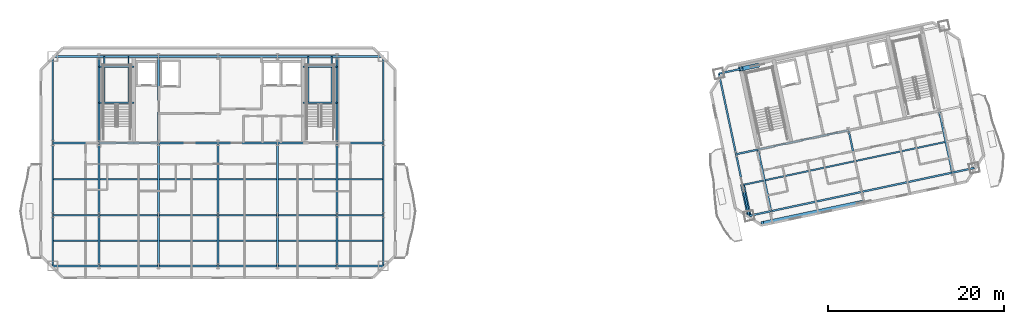
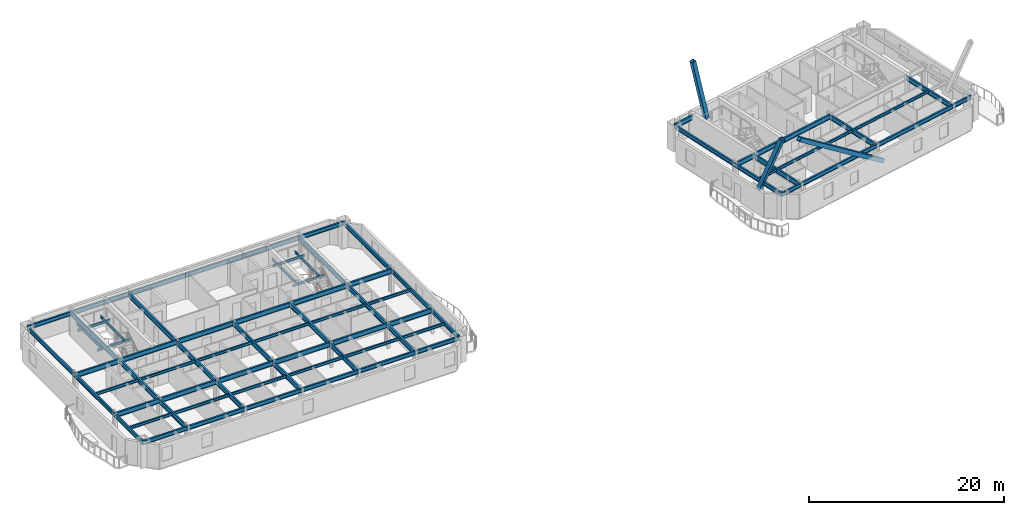
# One storey, part 3 of 13: 78 beams, 3 members.
"""IFC4 building model written with IfcOpenShell, lengths in metres."""

from ifc_helpers import new_model, si_unit, direction, frame, origin, origin_2d, place, context, subcontext, project, spatial, hollow_rectangle, i_section, extrude, material, material_profile, profile_set, type_object, element, save


model = new_model("IFC4")

# Units and contexts
model_context = context("Model", 3, precision=1e-05, world=origin(), true_north=direction((0.0, 1.0)))
body_context = subcontext(model_context, "Body", "Model", "MODEL_VIEW")
ifc_project = project(units=[si_unit("LENGTHUNIT", "METRE"), si_unit("AREAUNIT", "SQUARE_METRE"), si_unit("VOLUMEUNIT", "CUBIC_METRE"), si_unit("PLANEANGLEUNIT", "RADIAN"), si_unit("MASSUNIT", "GRAM", prefix="KILO")], contexts=[model_context])

# Site, building, storey
site_placement = place(None, origin())
site = spatial("IfcSite", under=ifc_project, at=site_placement, CompositionType="ELEMENT")
building_placement = place(site_placement, origin())
building = spatial("IfcBuilding", under=site, at=building_placement, Name="Haevon Station Towers", CompositionType="ELEMENT")
storey_placement = place(building_placement, frame((0.0, 0.0, 225.300048828125)))
storey = spatial("IfcBuildingStorey", under=building, at=storey_placement, Name="L62", CompositionType="ELEMENT", Elevation=225.300048828125)

# Beams
ifc_material_1 = material(Name="Steel S355", Category="steel")
ifc_material_profile_1 = material_profile(ifc_material_1, i_section(OverallWidth=0.199951171875, OverallDepth=0.60009765625, WebThickness=0.010986328125, FlangeThickness=0.01708984375, at=origin_2d()), Name="H-600x200x11x17")
ifc_profile_set_1 = profile_set([ifc_material_profile_1], Name="Steel S355")
beam_type_1 = type_object("IfcBeamType", Name="BM-G600", PredefinedType="BEAM", material=ifc_profile_set_1)
beam_1_placement = place(storey_placement, frame((18.75, 30.0, 2.75), z_axis=(1.0, 0.0, 0.0), x_axis=(0.0, 1.0, 0.0)))
element("IfcBeam", 1, at=beam_1_placement, inside=storey, type_object=beam_type_1, Name="BM-T1U-L62-02-01", PredefinedType="BEAM", context=body_context, shape_type="SweptSolid", body=[
    extrude(i_section(OverallWidth=0.199951171875, OverallDepth=0.60009765625, WebThickness=0.010986328125, FlangeThickness=0.01708984375, at=origin_2d()), origin(), (0.0, 0.0, 1.0), 5.25),
])
for number, where, z_axis, x_axis, name in (
    (2, (24.0, 30.0, 2.75), (1.0, 0.0, 0.0), (0.0, 1.0, 0.0), "BM-T1U-L62-02-02"),
    (3, (30.75, 30.0, 2.75), (1.0, 0.0, 0.0), (0.0, 1.0, 0.0), "BM-T1U-L62-02-03"),
    (4, (37.5, 30.0, 2.75), (1.0, 0.0, 0.0), (0.0, 1.0, 0.0), "BM-T1U-L62-02-04"),
    (5, (44.25, 30.0, 2.75), (1.0, 0.0, 0.0), (0.0, 1.0, 0.0), "BM-T1U-L62-02-05"),
):
    element("IfcBeam", number, at=place(storey_placement, frame(where, z_axis=z_axis, x_axis=x_axis)), inside=storey, type_object=beam_type_1, Name=name, PredefinedType="BEAM", context=body_context, shape_type="SweptSolid", body=[
        extrude(i_section(OverallWidth=0.199951171875, OverallDepth=0.60009765625, WebThickness=0.010986328125, FlangeThickness=0.01708984375, at=origin_2d()), origin(), (0.0, 0.0, 1.0), 6.75),
    ])
for number, where, z_axis, x_axis, name in (
    (6, (51.0, 30.0, 2.75), (1.0, 0.0, 0.0), (0.0, 1.0, 0.0), "BM-T1U-L62-02-06"),
    (7, (18.75, 38.199951171875, 2.75), (1.0, 0.0, 0.0), (0.0, 1.0, 0.0), "BM-T1U-L62-03-01"),
):
    element("IfcBeam", number, at=place(storey_placement, frame(where, z_axis=z_axis, x_axis=x_axis)), inside=storey, type_object=beam_type_1, Name=name, PredefinedType="BEAM", context=body_context, shape_type="SweptSolid", body=[
        extrude(i_section(OverallWidth=0.199951171875, OverallDepth=0.60009765625, WebThickness=0.010986328125, FlangeThickness=0.01708984375, at=origin_2d()), origin(), (0.0, 0.0, 1.0), 5.25),
    ])
for number, where, z_axis, x_axis, name in (
    (8, (24.0, 38.199951171875, 2.75), (1.0, 0.0, 0.0), (0.0, 1.0, 0.0), "BM-T1U-L62-03-02"),
    (9, (30.75, 38.199951171875, 2.75), (1.0, 0.0, 0.0), (0.0, 1.0, 0.0), "BM-T1U-L62-03-03"),
    (10, (37.5, 38.199951171875, 2.75), (1.0, 0.0, 0.0), (0.0, 1.0, 0.0), "BM-T1U-L62-03-04"),
    (11, (44.25, 38.199951171875, 2.75), (1.0, 0.0, 0.0), (0.0, 1.0, 0.0), "BM-T1U-L62-03-05"),
):
    element("IfcBeam", number, at=place(storey_placement, frame(where, z_axis=z_axis, x_axis=x_axis)), inside=storey, type_object=beam_type_1, Name=name, PredefinedType="BEAM", context=body_context, shape_type="SweptSolid", body=[
        extrude(i_section(OverallWidth=0.199951171875, OverallDepth=0.60009765625, WebThickness=0.010986328125, FlangeThickness=0.01708984375, at=origin_2d()), origin(), (0.0, 0.0, 1.0), 6.75),
    ])
beam_2_placement = place(storey_placement, frame((51.0, 38.199951171875, 2.75), z_axis=(1.0, 0.0, 0.0), x_axis=(0.0, 1.0, 0.0)))
element("IfcBeam", 12, at=beam_2_placement, inside=storey, type_object=beam_type_1, Name="BM-T1U-L62-03-06", PredefinedType="BEAM", context=body_context, shape_type="SweptSolid", body=[
    extrude(i_section(OverallWidth=0.199951171875, OverallDepth=0.60009765625, WebThickness=0.010986328125, FlangeThickness=0.01708984375, at=origin_2d()), origin(), (0.0, 0.0, 1.0), 5.25),
])
beam_3_placement = place(storey_placement, frame((24.0, 24.25, 2.75), z_axis=(0.0, 1.0, 0.0), x_axis=(-1.0, 0.0, 0.0)))
element("IfcBeam", 13, at=beam_3_placement, inside=storey, type_object=beam_type_1, Name="BM-T1V-L62-02-01", PredefinedType="BEAM", context=body_context, shape_type="SweptSolid", body=[
    extrude(i_section(OverallWidth=0.199951171875, OverallDepth=0.60009765625, WebThickness=0.010986328125, FlangeThickness=0.01708984375, at=origin_2d()), origin(), (0.0, 0.0, 1.0), 5.75),
])
beam_4_placement = place(storey_placement, frame((24.0, 30.0, 2.75), z_axis=(0.0, 1.0, 0.0), x_axis=(-1.0, 0.0, 0.0)))
element("IfcBeam", 14, at=beam_4_placement, inside=storey, type_object=beam_type_1, Name="BM-T1V-L62-02-02", PredefinedType="BEAM", context=body_context, shape_type="SweptSolid", body=[
    extrude(i_section(OverallWidth=0.199951171875, OverallDepth=0.60009765625, WebThickness=0.010986328125, FlangeThickness=0.01708984375, at=origin_2d()), origin(), (0.0, 0.0, 1.0), 8.199951171875),
])
beam_5_placement = place(storey_placement, frame((24.0, 38.199951171875, 2.75), z_axis=(0.0, 1.0, 0.0), x_axis=(-1.0, 0.0, 0.0)))
element("IfcBeam", 15, at=beam_5_placement, inside=storey, type_object=beam_type_1, Name="BM-T1V-L62-02-03", PredefinedType="BEAM", context=body_context, shape_type="SweptSolid", body=[
    extrude(i_section(OverallWidth=0.199951171875, OverallDepth=0.60009765625, WebThickness=0.010986328125, FlangeThickness=0.01708984375, at=origin_2d()), origin(), (0.0, 0.0, 1.0), 9.800048828125),
])
beam_6_placement = place(storey_placement, frame((30.75, 24.25, 2.75), z_axis=(0.0, 1.0, 0.0), x_axis=(-1.0, 0.0, 0.0)))
element("IfcBeam", 16, at=beam_6_placement, inside=storey, type_object=beam_type_1, Name="BM-T1V-L62-03-01", PredefinedType="BEAM", context=body_context, shape_type="SweptSolid", body=[
    extrude(i_section(OverallWidth=0.199951171875, OverallDepth=0.60009765625, WebThickness=0.010986328125, FlangeThickness=0.01708984375, at=origin_2d()), origin(), (0.0, 0.0, 1.0), 5.75),
])
beam_7_placement = place(storey_placement, frame((30.75, 30.0, 2.75), z_axis=(0.0, 1.0, 0.0), x_axis=(-1.0, 0.0, 0.0)))
element("IfcBeam", 17, at=beam_7_placement, inside=storey, type_object=beam_type_1, Name="BM-T1V-L62-03-02", PredefinedType="BEAM", context=body_context, shape_type="SweptSolid", body=[
    extrude(i_section(OverallWidth=0.199951171875, OverallDepth=0.60009765625, WebThickness=0.010986328125, FlangeThickness=0.01708984375, at=origin_2d()), origin(), (0.0, 0.0, 1.0), 8.199951171875),
])
beam_8_placement = place(storey_placement, frame((30.75, 38.199951171875, 2.75), z_axis=(0.0, 1.0, 0.0), x_axis=(-1.0, 0.0, 0.0)))
element("IfcBeam", 18, at=beam_8_placement, inside=storey, type_object=beam_type_1, Name="BM-T1V-L62-03-03", PredefinedType="BEAM", context=body_context, shape_type="SweptSolid", body=[
    extrude(i_section(OverallWidth=0.199951171875, OverallDepth=0.60009765625, WebThickness=0.010986328125, FlangeThickness=0.01708984375, at=origin_2d()), origin(), (0.0, 0.0, 1.0), 9.800048828125),
])
beam_9_placement = place(storey_placement, frame((37.5, 24.25, 2.75), z_axis=(0.0, 1.0, 0.0), x_axis=(-1.0, 0.0, 0.0)))
element("IfcBeam", 19, at=beam_9_placement, inside=storey, type_object=beam_type_1, Name="BM-T1V-L62-04-01", PredefinedType="BEAM", context=body_context, shape_type="SweptSolid", body=[
    extrude(i_section(OverallWidth=0.199951171875, OverallDepth=0.60009765625, WebThickness=0.010986328125, FlangeThickness=0.01708984375, at=origin_2d()), origin(), (0.0, 0.0, 1.0), 5.75),
])
beam_10_placement = place(storey_placement, frame((37.5, 30.0, 2.75), z_axis=(0.0, 1.0, 0.0), x_axis=(-1.0, 0.0, 0.0)))
element("IfcBeam", 20, at=beam_10_placement, inside=storey, type_object=beam_type_1, Name="BM-T1V-L62-04-02", PredefinedType="BEAM", context=body_context, shape_type="SweptSolid", body=[
    extrude(i_section(OverallWidth=0.199951171875, OverallDepth=0.60009765625, WebThickness=0.010986328125, FlangeThickness=0.01708984375, at=origin_2d()), origin(), (0.0, 0.0, 1.0), 8.199951171875),
])
beam_11_placement = place(storey_placement, frame((44.25, 24.25, 2.75), z_axis=(0.0, 1.0, 0.0), x_axis=(-1.0, 0.0, 0.0)))
element("IfcBeam", 21, at=beam_11_placement, inside=storey, type_object=beam_type_1, Name="BM-T1V-L62-05-01", PredefinedType="BEAM", context=body_context, shape_type="SweptSolid", body=[
    extrude(i_section(OverallWidth=0.199951171875, OverallDepth=0.60009765625, WebThickness=0.010986328125, FlangeThickness=0.01708984375, at=origin_2d()), origin(), (0.0, 0.0, 1.0), 5.75),
])
beam_12_placement = place(storey_placement, frame((44.25, 30.0, 2.75), z_axis=(0.0, 1.0, 0.0), x_axis=(-1.0, 0.0, 0.0)))
element("IfcBeam", 22, at=beam_12_placement, inside=storey, type_object=beam_type_1, Name="BM-T1V-L62-05-02", PredefinedType="BEAM", context=body_context, shape_type="SweptSolid", body=[
    extrude(i_section(OverallWidth=0.199951171875, OverallDepth=0.60009765625, WebThickness=0.010986328125, FlangeThickness=0.01708984375, at=origin_2d()), origin(), (0.0, 0.0, 1.0), 8.199951171875),
])
beam_13_placement = place(storey_placement, frame((51.0, 24.25, 2.75), z_axis=(0.0, 1.0, 0.0), x_axis=(-1.0, 0.0, 0.0)))
element("IfcBeam", 23, at=beam_13_placement, inside=storey, type_object=beam_type_1, Name="BM-T1V-L62-06-01", PredefinedType="BEAM", context=body_context, shape_type="SweptSolid", body=[
    extrude(i_section(OverallWidth=0.199951171875, OverallDepth=0.60009765625, WebThickness=0.010986328125, FlangeThickness=0.01708984375, at=origin_2d()), origin(), (0.0, 0.0, 1.0), 5.75),
])
beam_14_placement = place(storey_placement, frame((51.0, 30.0, 2.75), z_axis=(0.0, 1.0, 0.0), x_axis=(-1.0, 0.0, 0.0)))
element("IfcBeam", 24, at=beam_14_placement, inside=storey, type_object=beam_type_1, Name="BM-T1V-L62-06-02", PredefinedType="BEAM", context=body_context, shape_type="SweptSolid", body=[
    extrude(i_section(OverallWidth=0.199951171875, OverallDepth=0.60009765625, WebThickness=0.010986328125, FlangeThickness=0.01708984375, at=origin_2d()), origin(), (0.0, 0.0, 1.0), 8.199951171875),
])
beam_15_placement = place(storey_placement, frame((51.0, 38.199951171875, 2.75), z_axis=(0.0, 1.0, 0.0), x_axis=(-1.0, 0.0, 0.0)))
element("IfcBeam", 25, at=beam_15_placement, inside=storey, type_object=beam_type_1, Name="BM-T1V-L62-06-03", PredefinedType="BEAM", context=body_context, shape_type="SweptSolid", body=[
    extrude(i_section(OverallWidth=0.199951171875, OverallDepth=0.60009765625, WebThickness=0.010986328125, FlangeThickness=0.01708984375, at=origin_2d()), origin(), (0.0, 0.0, 1.0), 9.800048828125),
])
beam_16_placement = place(storey_placement, frame((96.258056640625, 36.912353515625, 2.75), z_axis=(0.978161040728, 0.207848450565, 0.0), x_axis=(-0.207848450565, 0.978161040728, 0.0)))
element("IfcBeam", 26, at=beam_16_placement, inside=storey, type_object=beam_type_1, Name="BM-T2U-L62-02-01", PredefinedType="BEAM", context=body_context, shape_type="SweptSolid", body=[
    extrude(i_section(OverallWidth=0.199951171875, OverallDepth=0.60009765625, WebThickness=0.010986328125, FlangeThickness=0.01708984375, at=origin_2d()), origin(), (0.0, 0.0, 1.0), 2.550048828125),
])
beam_17_placement = place(storey_placement, frame((98.75244140625, 37.4423828125, 2.75), z_axis=(0.978146794194, 0.207915485254, 0.0), x_axis=(-0.207915485254, 0.978146794194, 0.0)))
element("IfcBeam", 27, at=beam_17_placement, inside=storey, type_object=beam_type_1, Name="BM-T2U-L62-02-02", PredefinedType="BEAM", context=body_context, shape_type="SweptSolid", body=[
    extrude(i_section(OverallWidth=0.199951171875, OverallDepth=0.60009765625, WebThickness=0.010986328125, FlangeThickness=0.01708984375, at=origin_2d()), origin(), (0.0, 0.0, 1.0), 10.5),
])
beam_18_placement = place(storey_placement, frame((94.314208984375, 46.057861328125, 2.75), z_axis=(0.978137432142, 0.207959524531, 0.0), x_axis=(-0.207959524531, 0.978137432142, 0.0)))
element("IfcBeam", 28, at=beam_18_placement, inside=storey, type_object=beam_type_1, Name="BM-T2U-L62-03-01", PredefinedType="BEAM", context=body_context, shape_type="SweptSolid", body=[
    extrude(i_section(OverallWidth=0.199951171875, OverallDepth=0.60009765625, WebThickness=0.010986328125, FlangeThickness=0.01708984375, at=origin_2d()), origin(), (0.0, 0.0, 1.0), 2.5498046875),
])
for number, where, z_axis, x_axis, name in (
    (29, (100.23681640625, 30.45849609375, 2.75), (-0.207898833396, 0.978150333575, 0.0), (-0.978150333575, -0.207898833396, 0.0), "BM-T2V-L62-02-01"),
    (30, (110.50732421875, 32.6416015625, 2.75), (-0.207898833396, 0.978150333575, 0.0), (-0.978150333575, -0.207898833396, 0.0), "BM-T2V-L62-03-01"),
):
    element("IfcBeam", number, at=place(storey_placement, frame(where, z_axis=z_axis, x_axis=x_axis)), inside=storey, type_object=beam_type_1, Name=name, PredefinedType="BEAM", context=body_context, shape_type="SweptSolid", body=[
        extrude(i_section(OverallWidth=0.199951171875, OverallDepth=0.60009765625, WebThickness=0.010986328125, FlangeThickness=0.01708984375, at=origin_2d()), origin(), (0.0, 0.0, 1.0), 7.139892578125),
    ])
beam_19_placement = place(storey_placement, frame((120.77783203125, 34.824462890625, 2.75), z_axis=(-0.207891880081, 0.978151811426, 0.0), x_axis=(-0.978151811426, -0.207891880081, 0.0)))
element("IfcBeam", 31, at=beam_19_placement, inside=storey, type_object=beam_type_1, Name="BM-T2V-L62-04-01", PredefinedType="BEAM", context=body_context, shape_type="SweptSolid", body=[
    extrude(i_section(OverallWidth=0.199951171875, OverallDepth=0.60009765625, WebThickness=0.010986328125, FlangeThickness=0.01708984375, at=origin_2d()), origin(), (0.0, 0.0, 1.0), 7.14013671875),
])
ifc_material_profile_2 = material_profile(ifc_material_1, i_section(OverallWidth=0.175048828125, OverallDepth=0.35009765625, WebThickness=0.007080078125, FlangeThickness=0.010986328125, at=origin_2d()), Name="H-350x175x7x11")
ifc_profile_set_2 = profile_set([ifc_material_profile_2], Name="Steel S355")
beam_type_2 = type_object("IfcBeamType", Name="BM-J350", PredefinedType="JOIST", material=ifc_profile_set_2)
beam_20_placement = place(storey_placement, frame((18.860107421875, 27.125, 2.875), z_axis=(1.0, 0.0, 0.0), x_axis=(0.0, 1.0, 0.0)))
element("IfcBeam", 32, at=beam_20_placement, inside=storey, type_object=beam_type_2, Name="BM-T1J-L62-01-01", PredefinedType="JOIST", context=body_context, shape_type="SweptSolid", body=[
    extrude(i_section(OverallWidth=0.175048828125, OverallDepth=0.35009765625, WebThickness=0.007080078125, FlangeThickness=0.010986328125, at=origin_2d()), origin(), (0.0, 0.0, 1.0), 5.02978515625),
])
for number, where, z_axis, x_axis, name in (
    (33, (24.110107421875, 27.125, 2.875), (1.0, 0.0, 0.0), (0.0, 1.0, 0.0), "BM-T1J-L62-01-02"),
    (34, (30.860107421875, 27.125, 2.875), (1.0, 0.0, 0.0), (0.0, 1.0, 0.0), "BM-T1J-L62-01-03"),
    (35, (37.610107421875, 27.125, 2.875), (1.0, 0.0, 0.0), (0.0, 1.0, 0.0), "BM-T1J-L62-01-04"),
    (36, (44.360107421875, 27.125, 2.875), (1.0, 0.0, 0.0), (0.0, 1.0, 0.0), "BM-T1J-L62-01-05"),
):
    element("IfcBeam", number, at=place(storey_placement, frame(where, z_axis=z_axis, x_axis=x_axis)), inside=storey, type_object=beam_type_2, Name=name, PredefinedType="JOIST", context=body_context, shape_type="SweptSolid", body=[
        extrude(i_section(OverallWidth=0.175048828125, OverallDepth=0.35009765625, WebThickness=0.007080078125, FlangeThickness=0.010986328125, at=origin_2d()), origin(), (0.0, 0.0, 1.0), 6.52978515625),
    ])
for number, where, z_axis, x_axis, name in (
    (37, (51.110107421875, 27.125, 2.875), (1.0, 0.0, 0.0), (0.0, 1.0, 0.0), "BM-T1J-L62-01-06"),
    (38, (18.860107421875, 34.10009765625, 2.875), (1.0, 0.0, 0.0), (0.0, 1.0, 0.0), "BM-T1J-L62-02-01"),
):
    element("IfcBeam", number, at=place(storey_placement, frame(where, z_axis=z_axis, x_axis=x_axis)), inside=storey, type_object=beam_type_2, Name=name, PredefinedType="JOIST", context=body_context, shape_type="SweptSolid", body=[
        extrude(i_section(OverallWidth=0.175048828125, OverallDepth=0.35009765625, WebThickness=0.007080078125, FlangeThickness=0.010986328125, at=origin_2d()), origin(), (0.0, 0.0, 1.0), 5.02978515625),
    ])
for number, where, z_axis, x_axis, name in (
    (39, (24.110107421875, 34.10009765625, 2.875), (1.0, 0.0, 0.0), (0.0, 1.0, 0.0), "BM-T1J-L62-02-02"),
    (40, (30.860107421875, 34.10009765625, 2.875), (1.0, 0.0, 0.0), (0.0, 1.0, 0.0), "BM-T1J-L62-02-03"),
    (41, (37.610107421875, 34.10009765625, 2.875), (1.0, 0.0, 0.0), (0.0, 1.0, 0.0), "BM-T1J-L62-02-04"),
    (42, (44.360107421875, 34.10009765625, 2.875), (1.0, 0.0, 0.0), (0.0, 1.0, 0.0), "BM-T1J-L62-02-05"),
):
    element("IfcBeam", number, at=place(storey_placement, frame(where, z_axis=z_axis, x_axis=x_axis)), inside=storey, type_object=beam_type_2, Name=name, PredefinedType="JOIST", context=body_context, shape_type="SweptSolid", body=[
        extrude(i_section(OverallWidth=0.175048828125, OverallDepth=0.35009765625, WebThickness=0.007080078125, FlangeThickness=0.010986328125, at=origin_2d()), origin(), (0.0, 0.0, 1.0), 6.52978515625),
    ])
beam_21_placement = place(storey_placement, frame((51.110107421875, 34.10009765625, 2.875), z_axis=(1.0, 0.0, 0.0), x_axis=(0.0, 1.0, 0.0)))
element("IfcBeam", 43, at=beam_21_placement, inside=storey, type_object=beam_type_2, Name="BM-T1J-L62-02-06", PredefinedType="JOIST", context=body_context, shape_type="SweptSolid", body=[
    extrude(i_section(OverallWidth=0.175048828125, OverallDepth=0.35009765625, WebThickness=0.007080078125, FlangeThickness=0.010986328125, at=origin_2d()), origin(), (0.0, 0.0, 1.0), 5.02978515625),
])
beam_22_placement = place(storey_placement, frame((97.10791015625, 33.443115234375, 2.875), z_axis=(0.978152192783, 0.207890085751, 0.0), x_axis=(-0.207890085751, 0.978152192783, 0.0)))
element("IfcBeam", 44, at=beam_22_placement, inside=storey, type_object=beam_type_2, Name="BM-T2J-L62-01-01", PredefinedType="JOIST", context=body_context, shape_type="SweptSolid", body=[
    extrude(i_section(OverallWidth=0.175048828125, OverallDepth=0.35009765625, WebThickness=0.007080078125, FlangeThickness=0.010986328125, at=origin_2d()), origin(), (0.0, 0.0, 1.0), 2.330078125),
])
for number, where, z_axis, x_axis, name in (
    (45, (99.602294921875, 33.973388671875, 2.875), (0.978149313139, 0.20790363442, 0.0), (-0.20790363442, 0.978149313139, 0.0), "BM-T2J-L62-01-02"),
    (46, (109.872802734375, 36.15625, 2.875), (0.97814448317, 0.207926357261, 0.0), (-0.207926357261, 0.97814448317, 0.0), "BM-T2J-L62-01-03"),
):
    element("IfcBeam", number, at=place(storey_placement, frame(where, z_axis=z_axis, x_axis=x_axis)), inside=storey, type_object=beam_type_2, Name=name, PredefinedType="JOIST", context=body_context, shape_type="SweptSolid", body=[
        extrude(i_section(OverallWidth=0.175048828125, OverallDepth=0.35009765625, WebThickness=0.007080078125, FlangeThickness=0.010986328125, at=origin_2d()), origin(), (0.0, 0.0, 1.0), 10.27978515625),
    ])
ifc_material_profile_3 = material_profile(ifc_material_1, i_section(OverallWidth=0.14990234375, OverallDepth=0.300048828125, WebThickness=0.006591796875, FlangeThickness=0.009033203125, at=origin_2d()), Name="H-300x150x6.5x9")
ifc_profile_set_3 = profile_set([ifc_material_profile_3], Name="Steel S355")
beam_type_3 = type_object("IfcBeamType", Name="BM-LIN300", PredefinedType="LINTEL", material=ifc_profile_set_3)
for number, where, z_axis, x_axis, name in (
    (47, (24.0, 42.743896484375, 1.300048828125), (1.0, 0.0, 0.0), (0.0, 1.0, 0.0), "BM-ST1L-L62-1-S"),
    (48, (24.0, 46.820068359375, 1.300048828125), (1.0, 0.0, 0.0), (0.0, 1.0, 0.0), "BM-ST1L-L62-1-N"),
):
    element("IfcBeam", number, at=place(storey_placement, frame(where, z_axis=z_axis, x_axis=x_axis)), inside=storey, type_object=beam_type_3, Name=name, PredefinedType="LINTEL", context=body_context, shape_type="SweptSolid", body=[
        extrude(i_section(OverallWidth=0.14990234375, OverallDepth=0.300048828125, WebThickness=0.006591796875, FlangeThickness=0.009033203125, at=origin_2d()), origin(), (0.0, 0.0, 1.0), 3.949951171875),
    ])
for number, where, z_axis, x_axis, name in (
    (49, (24.60009765625, 42.743896484375, 1.300048828125), (0.0, 1.0, 0.0), (-1.0, 0.0, 0.0), "BM-ST1L-L62-1-W"),
    (50, (27.35009765625, 42.743896484375, 1.300048828125), (0.0, 1.0, 0.0), (-1.0, 0.0, 0.0), "BM-ST1L-L62-1-E"),
):
    element("IfcBeam", number, at=place(storey_placement, frame(where, z_axis=z_axis, x_axis=x_axis)), inside=storey, type_object=beam_type_3, Name=name, PredefinedType="LINTEL", context=body_context, shape_type="SweptSolid", body=[
        extrude(i_section(OverallWidth=0.14990234375, OverallDepth=0.300048828125, WebThickness=0.006591796875, FlangeThickness=0.009033203125, at=origin_2d()), origin(), (0.0, 0.0, 1.0), 5.256103515625),
    ])
for number, where, z_axis, x_axis, name in (
    (51, (47.14990234375, 42.743896484375, 1.300048828125), (1.0, 0.0, 0.0), (0.0, 1.0, 0.0), "BM-ST2L-L62-1-S"),
    (52, (47.14990234375, 46.820068359375, 1.300048828125), (1.0, 0.0, 0.0), (0.0, 1.0, 0.0), "BM-ST2L-L62-1-N"),
):
    element("IfcBeam", number, at=place(storey_placement, frame(where, z_axis=z_axis, x_axis=x_axis)), inside=storey, type_object=beam_type_3, Name=name, PredefinedType="LINTEL", context=body_context, shape_type="SweptSolid", body=[
        extrude(i_section(OverallWidth=0.14990234375, OverallDepth=0.300048828125, WebThickness=0.006591796875, FlangeThickness=0.009033203125, at=origin_2d()), origin(), (0.0, 0.0, 1.0), 3.85009765625),
    ])
for number, where, z_axis, x_axis, name in (
    (53, (47.75, 42.743896484375, 1.300048828125), (0.0, 1.0, 0.0), (-1.0, 0.0, 0.0), "BM-ST2L-L62-1-W"),
    (54, (50.39990234375, 42.743896484375, 1.300048828125), (0.0, 1.0, 0.0), (-1.0, 0.0, 0.0), "BM-ST2L-L62-1-E"),
):
    element("IfcBeam", number, at=place(storey_placement, frame(where, z_axis=z_axis, x_axis=x_axis)), inside=storey, type_object=beam_type_3, Name=name, PredefinedType="LINTEL", context=body_context, shape_type="SweptSolid", body=[
        extrude(i_section(OverallWidth=0.14990234375, OverallDepth=0.300048828125, WebThickness=0.006591796875, FlangeThickness=0.009033203125, at=origin_2d()), origin(), (0.0, 0.0, 1.0), 5.256103515625),
    ])
ifc_material_profile_4 = material_profile(ifc_material_1, i_section(OverallWidth=0.199951171875, OverallDepth=0.5, WebThickness=0.010009765625, FlangeThickness=0.01611328125, at=origin_2d()), Name="H-500x200x10x16")
ifc_profile_set_4 = profile_set([ifc_material_profile_4], Name="Steel S355")
beam_type_4 = type_object("IfcBeamType", Name="BM-SP500", PredefinedType="SPANDREL", material=ifc_profile_set_4)
beam_23_placement = place(storey_placement, frame((18.75, 24.25, 2.800048828125), z_axis=(1.0, 0.0, 0.0), x_axis=(0.0, 1.0, 0.0)))
element("IfcBeam", 55, at=beam_23_placement, inside=storey, type_object=beam_type_4, Name="BM-T1U-L62-01-01", PredefinedType="SPANDREL", context=body_context, shape_type="SweptSolid", body=[
    extrude(i_section(OverallWidth=0.199951171875, OverallDepth=0.5, WebThickness=0.010009765625, FlangeThickness=0.01611328125, at=origin_2d()), origin(), (0.0, 0.0, 1.0), 5.25),
])
for number, where, z_axis, x_axis, name in (
    (56, (24.0, 24.25, 2.800048828125), (1.0, 0.0, 0.0), (0.0, 1.0, 0.0), "BM-T1U-L62-01-02"),
    (57, (30.75, 24.25, 2.800048828125), (1.0, 0.0, 0.0), (0.0, 1.0, 0.0), "BM-T1U-L62-01-03"),
    (58, (37.5, 24.25, 2.800048828125), (1.0, 0.0, 0.0), (0.0, 1.0, 0.0), "BM-T1U-L62-01-04"),
    (59, (44.25, 24.25, 2.800048828125), (1.0, 0.0, 0.0), (0.0, 1.0, 0.0), "BM-T1U-L62-01-05"),
):
    element("IfcBeam", number, at=place(storey_placement, frame(where, z_axis=z_axis, x_axis=x_axis)), inside=storey, type_object=beam_type_4, Name=name, PredefinedType="SPANDREL", context=body_context, shape_type="SweptSolid", body=[
        extrude(i_section(OverallWidth=0.199951171875, OverallDepth=0.5, WebThickness=0.010009765625, FlangeThickness=0.01611328125, at=origin_2d()), origin(), (0.0, 0.0, 1.0), 6.75),
    ])
for number, where, z_axis, x_axis, name in (
    (60, (51.0, 24.25, 2.800048828125), (1.0, 0.0, 0.0), (0.0, 1.0, 0.0), "BM-T1U-L62-01-06"),
    (61, (18.75, 48.0, 2.800048828125), (1.0, 0.0, 0.0), (0.0, 1.0, 0.0), "BM-T1U-L62-04-01"),
):
    element("IfcBeam", number, at=place(storey_placement, frame(where, z_axis=z_axis, x_axis=x_axis)), inside=storey, type_object=beam_type_4, Name=name, PredefinedType="SPANDREL", context=body_context, shape_type="SweptSolid", body=[
        extrude(i_section(OverallWidth=0.199951171875, OverallDepth=0.5, WebThickness=0.010009765625, FlangeThickness=0.01611328125, at=origin_2d()), origin(), (0.0, 0.0, 1.0), 5.25),
    ])
for number, where, z_axis, x_axis, name in (
    (62, (24.0, 48.0, 2.800048828125), (1.0, 0.0, 0.0), (0.0, 1.0, 0.0), "BM-T1U-L62-04-02"),
    (63, (30.75, 48.0, 2.800048828125), (1.0, 0.0, 0.0), (0.0, 1.0, 0.0), "BM-T1U-L62-04-03"),
    (64, (37.5, 48.0, 2.800048828125), (1.0, 0.0, 0.0), (0.0, 1.0, 0.0), "BM-T1U-L62-04-04"),
    (65, (44.25, 48.0, 2.800048828125), (1.0, 0.0, 0.0), (0.0, 1.0, 0.0), "BM-T1U-L62-04-05"),
):
    element("IfcBeam", number, at=place(storey_placement, frame(where, z_axis=z_axis, x_axis=x_axis)), inside=storey, type_object=beam_type_4, Name=name, PredefinedType="SPANDREL", context=body_context, shape_type="SweptSolid", body=[
        extrude(i_section(OverallWidth=0.199951171875, OverallDepth=0.5, WebThickness=0.010009765625, FlangeThickness=0.01611328125, at=origin_2d()), origin(), (0.0, 0.0, 1.0), 6.75),
    ])
beam_24_placement = place(storey_placement, frame((51.0, 48.0, 2.800048828125), z_axis=(1.0, 0.0, 0.0), x_axis=(0.0, 1.0, 0.0)))
element("IfcBeam", 66, at=beam_24_placement, inside=storey, type_object=beam_type_4, Name="BM-T1U-L62-04-06", PredefinedType="SPANDREL", context=body_context, shape_type="SweptSolid", body=[
    extrude(i_section(OverallWidth=0.199951171875, OverallDepth=0.5, WebThickness=0.010009765625, FlangeThickness=0.01611328125, at=origin_2d()), origin(), (0.0, 0.0, 1.0), 5.25),
])
beam_25_placement = place(storey_placement, frame((18.75, 24.25, 2.800048828125), z_axis=(0.0, 1.0, 0.0), x_axis=(-1.0, 0.0, 0.0)))
element("IfcBeam", 67, at=beam_25_placement, inside=storey, type_object=beam_type_4, Name="BM-T1V-L62-01-01", PredefinedType="SPANDREL", context=body_context, shape_type="SweptSolid", body=[
    extrude(i_section(OverallWidth=0.199951171875, OverallDepth=0.5, WebThickness=0.010009765625, FlangeThickness=0.01611328125, at=origin_2d()), origin(), (0.0, 0.0, 1.0), 5.75),
])
beam_26_placement = place(storey_placement, frame((18.75, 30.0, 2.800048828125), z_axis=(0.0, 1.0, 0.0), x_axis=(-1.0, 0.0, 0.0)))
element("IfcBeam", 68, at=beam_26_placement, inside=storey, type_object=beam_type_4, Name="BM-T1V-L62-01-02", PredefinedType="SPANDREL", context=body_context, shape_type="SweptSolid", body=[
    extrude(i_section(OverallWidth=0.199951171875, OverallDepth=0.5, WebThickness=0.010009765625, FlangeThickness=0.01611328125, at=origin_2d()), origin(), (0.0, 0.0, 1.0), 8.199951171875),
])
beam_27_placement = place(storey_placement, frame((18.75, 38.199951171875, 2.800048828125), z_axis=(0.0, 1.0, 0.0), x_axis=(-1.0, 0.0, 0.0)))
element("IfcBeam", 69, at=beam_27_placement, inside=storey, type_object=beam_type_4, Name="BM-T1V-L62-01-03", PredefinedType="SPANDREL", context=body_context, shape_type="SweptSolid", body=[
    extrude(i_section(OverallWidth=0.199951171875, OverallDepth=0.5, WebThickness=0.010009765625, FlangeThickness=0.01611328125, at=origin_2d()), origin(), (0.0, 0.0, 1.0), 9.800048828125),
])
beam_28_placement = place(storey_placement, frame((56.25, 24.25, 2.800048828125), z_axis=(0.0, 1.0, 0.0), x_axis=(-1.0, 0.0, 0.0)))
element("IfcBeam", 70, at=beam_28_placement, inside=storey, type_object=beam_type_4, Name="BM-T1V-L62-07-01", PredefinedType="SPANDREL", context=body_context, shape_type="SweptSolid", body=[
    extrude(i_section(OverallWidth=0.199951171875, OverallDepth=0.5, WebThickness=0.010009765625, FlangeThickness=0.01611328125, at=origin_2d()), origin(), (0.0, 0.0, 1.0), 5.75),
])
beam_29_placement = place(storey_placement, frame((56.25, 30.0, 2.800048828125), z_axis=(0.0, 1.0, 0.0), x_axis=(-1.0, 0.0, 0.0)))
element("IfcBeam", 71, at=beam_29_placement, inside=storey, type_object=beam_type_4, Name="BM-T1V-L62-07-02", PredefinedType="SPANDREL", context=body_context, shape_type="SweptSolid", body=[
    extrude(i_section(OverallWidth=0.199951171875, OverallDepth=0.5, WebThickness=0.010009765625, FlangeThickness=0.01611328125, at=origin_2d()), origin(), (0.0, 0.0, 1.0), 8.199951171875),
])
beam_30_placement = place(storey_placement, frame((56.25, 38.199951171875, 2.800048828125), z_axis=(0.0, 1.0, 0.0), x_axis=(-1.0, 0.0, 0.0)))
element("IfcBeam", 72, at=beam_30_placement, inside=storey, type_object=beam_type_4, Name="BM-T1V-L62-07-03", PredefinedType="SPANDREL", context=body_context, shape_type="SweptSolid", body=[
    extrude(i_section(OverallWidth=0.199951171875, OverallDepth=0.5, WebThickness=0.010009765625, FlangeThickness=0.01611328125, at=origin_2d()), origin(), (0.0, 0.0, 1.0), 9.800048828125),
])
beam_31_placement = place(storey_placement, frame((97.74267578125, 29.92822265625, 2.800048828125), z_axis=(0.978137432142, 0.207959524531, 0.0), x_axis=(-0.207959524531, 0.978137432142, 0.0)))
element("IfcBeam", 73, at=beam_31_placement, inside=storey, type_object=beam_type_4, Name="BM-T2U-L62-01-01", PredefinedType="SPANDREL", context=body_context, shape_type="SweptSolid", body=[
    extrude(i_section(OverallWidth=0.199951171875, OverallDepth=0.5, WebThickness=0.010009765625, FlangeThickness=0.01611328125, at=origin_2d()), origin(), (0.0, 0.0, 1.0), 2.5498046875),
])
for number, where, z_axis, x_axis, name in (
    (74, (100.23681640625, 30.45849609375, 2.800048828125), (0.978146794194, 0.207915485254, 0.0), (-0.207915485254, 0.978146794194, 0.0), "BM-T2U-L62-01-02"),
    (75, (110.50732421875, 32.6416015625, 2.800048828125), (0.978151522678, 0.207893238667, 0.0), (-0.207893238667, 0.978151522678, 0.0), "BM-T2U-L62-01-03"),
):
    element("IfcBeam", number, at=place(storey_placement, frame(where, z_axis=z_axis, x_axis=x_axis)), inside=storey, type_object=beam_type_4, Name=name, PredefinedType="SPANDREL", context=body_context, shape_type="SweptSolid", body=[
        extrude(i_section(OverallWidth=0.199951171875, OverallDepth=0.5, WebThickness=0.010009765625, FlangeThickness=0.01611328125, at=origin_2d()), origin(), (0.0, 0.0, 1.0), 10.5),
    ])
beam_32_placement = place(storey_placement, frame((120.77783203125, 34.824462890625, 2.800048828125), z_axis=(0.978141572287, 0.207940050407, 0.0), x_axis=(-0.207940050407, 0.978141572287, 0.0)))
element("IfcBeam", 76, at=beam_32_placement, inside=storey, type_object=beam_type_4, Name="BM-T2U-L62-01-04", PredefinedType="SPANDREL", context=body_context, shape_type="SweptSolid", body=[
    extrude(i_section(OverallWidth=0.199951171875, OverallDepth=0.5, WebThickness=0.010009765625, FlangeThickness=0.01611328125, at=origin_2d()), origin(), (0.0, 0.0, 1.0), 2.550048828125),
])
beam_33_placement = place(storey_placement, frame((97.74267578125, 29.92822265625, 2.800048828125), z_axis=(-0.207924594698, 0.97814485784, 0.0), x_axis=(-0.97814485784, -0.207924594698, 0.0)))
element("IfcBeam", 77, at=beam_33_placement, inside=storey, type_object=beam_type_4, Name="BM-T2V-L62-01-01", PredefinedType="SPANDREL", context=body_context, shape_type="SweptSolid", body=[
    extrude(i_section(OverallWidth=0.199951171875, OverallDepth=0.5, WebThickness=0.010009765625, FlangeThickness=0.01611328125, at=origin_2d()), origin(), (0.0, 0.0, 1.0), 7.14013671875),
])
beam_34_placement = place(storey_placement, frame((96.258056640625, 36.912353515625, 2.800048828125), z_axis=(-0.207902477038, 0.978149559138, 0.0), x_axis=(-0.978149559138, -0.207902477038, 0.0)))
element("IfcBeam", 78, at=beam_34_placement, inside=storey, type_object=beam_type_4, Name="BM-T2V-L62-01-02", PredefinedType="SPANDREL", context=body_context, shape_type="SweptSolid", body=[
    extrude(i_section(OverallWidth=0.199951171875, OverallDepth=0.5, WebThickness=0.010009765625, FlangeThickness=0.01611328125, at=origin_2d()), origin(), (0.0, 0.0, 1.0), 9.349853515625),
])

# Members
ifc_material_2 = material(Name="Steel S460", Category="steel")
ifc_material_profile_5 = material_profile(ifc_material_2, hollow_rectangle(XDim=0.47998046875, YDim=0.47998046875, WallThickness=0.02490234375, at=origin_2d()), Name="RHS-480x480x25")
ifc_profile_set_5 = profile_set([ifc_material_profile_5], Name="Steel S460")
member_type = type_object("IfcMemberType", Name="MB-480", PredefinedType="BRACE", material=ifc_profile_set_5)
member_1_placement = place(storey_placement, frame((110.548828125, 31.4541015625, 1.65966796875), z_axis=(-0.801015213467, -0.170248206452, 0.573925235543), x_axis=(0.207896697131, -0.97815078762, 0.0)))
element("IfcMember", 79, at=member_1_placement, inside=storey, type_object=member_type, Name="BR-T2MB-T09-S-D2B", PredefinedType="BRACE", context=body_context, shape_type="SweptSolid", body=[
    extrude(hollow_rectangle(XDim=0.47998046875, YDim=0.47998046875, WallThickness=0.02490234375, at=origin_2d()), origin(), (0.0, 0.0, 1.0), 14.096435546875),
])
member_2_placement = place(storey_placement, frame((98.63525390625, 46.976318359375, 1.76025390625), z_axis=(-0.222653664209, -0.047309812387, 0.973749006401), x_axis=(0.207841558628, -0.978162505163, 0.0)))
element("IfcMember", 80, at=member_2_placement, inside=storey, type_object=member_type, Name="BR-T2MB-T09-N-D2B", PredefinedType="BRACE", context=body_context, shape_type="SweptSolid", body=[
    extrude(hollow_rectangle(XDim=0.47998046875, YDim=0.47998046875, WallThickness=0.02490234375, at=origin_2d()), origin(), (0.0, 0.0, 1.0), 8.205078125),
])
member_3_placement = place(storey_placement, frame((97.021240234375, 33.322265625, 1.74609375), z_axis=(0.082698577748, -0.389061126177, 0.917492444294), x_axis=(0.978147047262, 0.207914294681, 0.0)))
element("IfcMember", 81, at=member_3_placement, inside=storey, type_object=member_type, Name="BR-T2MB-T09-W-D2B", PredefinedType="BRACE", context=body_context, shape_type="SweptSolid", body=[
    extrude(hollow_rectangle(XDim=0.47998046875, YDim=0.47998046875, WallThickness=0.02490234375, at=origin_2d()), origin(), (0.0, 0.0, 1.0), 8.7236328125),
])

save(model, "model.ifc")
